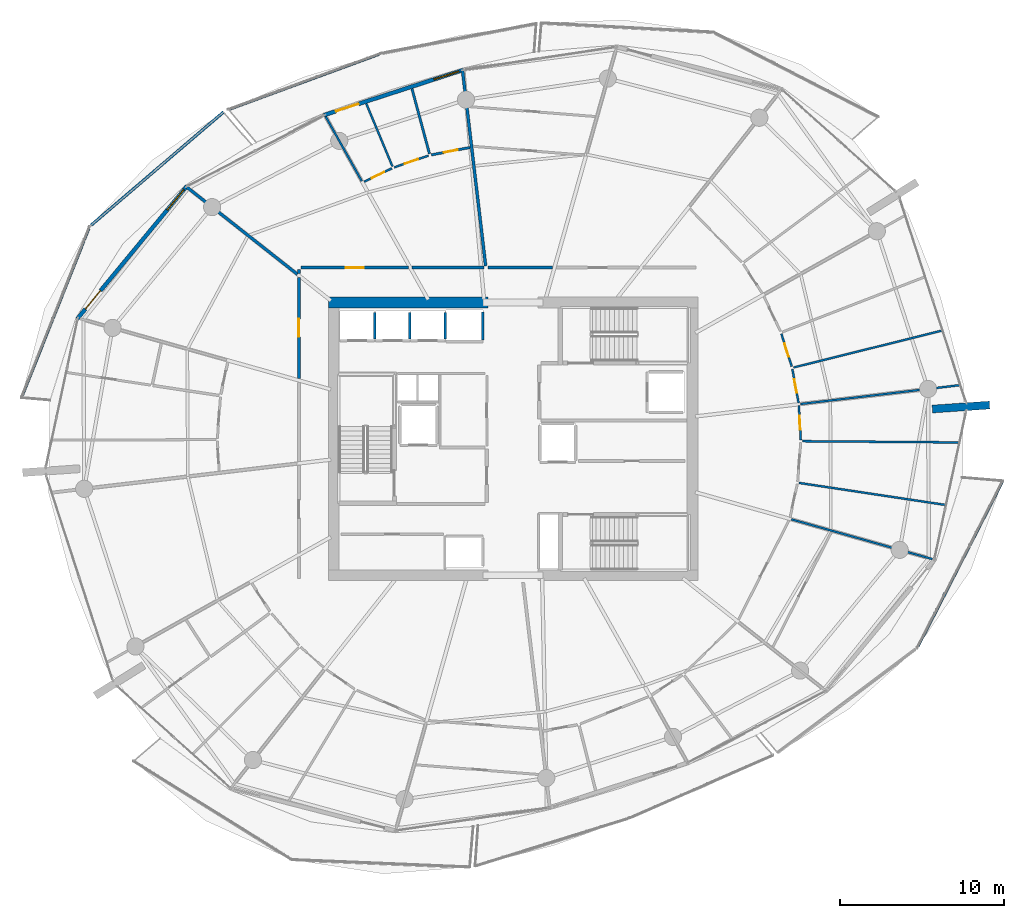
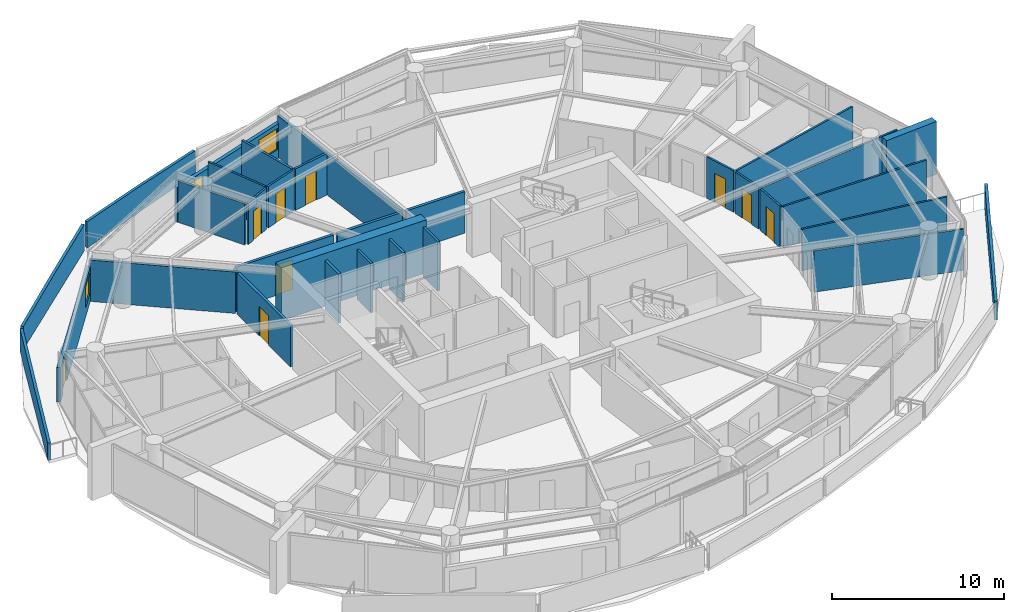
# One storey, part 14 of 20: 33 walls, 10 doors, 2 windows, 12 openings.
"""IFC4 building model written with IfcOpenShell, lengths in metres."""

from ifc_helpers import new_model, si_unit, direction, frame, frame_2d, origin, place, context, subcontext, project, spatial, polyline, rectangle, outline, extrude, material, layer, layer_set, type_object, element, fill, save


model = new_model("IFC4")

# Units and contexts
model_context = context("Model", 3, precision=1e-05, world=origin(), true_north=direction((0.0, 1.0)))
body_context = subcontext(model_context, "Body", "Model", "MODEL_VIEW")
ifc_project = project(units=[si_unit("LENGTHUNIT", "METRE"), si_unit("AREAUNIT", "SQUARE_METRE"), si_unit("VOLUMEUNIT", "CUBIC_METRE"), si_unit("PLANEANGLEUNIT", "RADIAN"), si_unit("MASSUNIT", "GRAM", prefix="KILO")], contexts=[model_context])

# Site, building, storey
site_placement = place(None, origin())
site = spatial("IfcSite", under=ifc_project, at=site_placement, CompositionType="ELEMENT")
building_placement = place(site_placement, origin())
building = spatial("IfcBuilding", under=site, at=building_placement, Name="Kazma Halo Residences", CompositionType="ELEMENT")
storey_placement = place(building_placement, frame((0.0, 0.0, 206.550048828125)))
storey = spatial("IfcBuildingStorey", under=building, at=storey_placement, Name="L52", CompositionType="ELEMENT", Elevation=206.550048828125)

# Walls
ifc_material_1 = material(Name="White Concrete C50/60 Balustrade", Category="concrete")
ifc_layer_1 = layer(ifc_material_1, 0.179931640625)
ifc_layer_set_1 = layer_set([ifc_layer_1], Name="White Concrete C50/60 Balustrade")
wall_type_1 = type_object("IfcWallType", Name="WL-BAL-WAVE-180", PredefinedType="PARAPET", material=ifc_layer_set_1)
wall_1_placement = place(storey_placement, frame((40.244384765625, 65.481689453125, 0.0), z_axis=(0.0, 0.0, 1.0), x_axis=(-0.938669265972, -0.344818806214, 0.0)))
element("IfcWall", 1, at=wall_1_placement, inside=storey, type_object=wall_type_1, Name="L52 white wave balustrade wall NNW.2", PredefinedType="PARAPET", context=body_context, shape_type="SweptSolid", body=[
    extrude(outline(polyline([(0.0, 0.0), (9.802734375, 0.0), (9.802490234375, 1.85986328125), (4.9013671875, 1.7978515625), (0.0, 1.6318359375), (0.0, 0.0)])), frame((0.0, 0.08984375, 0.0), z_axis=(0.0, -1.0, 0.0), x_axis=(1.0, 0.0, 0.0)), (0.0, 0.0, 1.0), 0.179931640625),
])
wall_2_placement = place(storey_placement, frame((30.751708984375, 61.947021484375, 0.0), z_axis=(0.0, 0.0, 1.0), x_axis=(-0.760227532438, -0.649656908624, 0.0)))
element("IfcWall", 2, at=wall_2_placement, inside=storey, type_object=wall_type_1, Name="L52 white wave balustrade wall NW.1", PredefinedType="PARAPET", context=body_context, shape_type="SweptSolid", body=[
    extrude(outline(polyline([(0.0, 0.0), (10.640380859375, 0.0), (10.640380859375, 1.6318359375), (5.3203125, 1.7978515625), (0.0, 1.85986328125), (0.0, 0.0)])), frame((0.0, 0.08984375, 0.0), z_axis=(0.0, -1.0, 0.0), x_axis=(1.0, 0.0, 0.0)), (0.0, 0.0, 1.0), 0.179931640625),
])
wall_3_placement = place(storey_placement, frame((22.52685546875, 54.844970703125, 0.0), z_axis=(0.0, 0.0, 1.0), x_axis=(-0.369781756991, -0.929118642691, 0.0)))
element("IfcWall", 3, at=wall_3_placement, inside=storey, type_object=wall_type_1, Name="L52 white wave balustrade wall NW.2", PredefinedType="PARAPET", context=body_context, shape_type="SweptSolid", body=[
    extrude(outline(polyline([(0.0, 0.0), (11.122802734375, 0.0), (11.123046875, 1.23291015625), (5.5615234375, 1.41796875), (0.0, 1.6318359375), (0.0, 0.0)])), frame((0.0, 0.08984375, 0.0), z_axis=(0.0, -1.0, 0.0), x_axis=(1.0, 0.0, 0.0)), (0.0, 0.0, 1.0), 0.179931640625),
])
wall_4_placement = place(storey_placement, frame((73.128662109375, 29.330810546875, 0.0), z_axis=(0.0, 0.0, 1.0), x_axis=(0.456201330326, 0.889876590437, 0.0)))
element("IfcWall", 4, at=wall_4_placement, inside=storey, type_object=wall_type_1, Name="L52 white wave balustrade wall SE.2", PredefinedType="PARAPET", context=body_context, shape_type="SweptSolid", body=[
    extrude(outline(polyline([(0.0, 0.0), (11.347412109375, 0.0), (11.347412109375, 1.7470703125), (5.673583984375, 1.56201171875), (0.0, 1.347900390625), (0.0, 0.0)])), frame((0.0, 0.08984375, 0.0), z_axis=(0.0, -1.0, 0.0), x_axis=(1.0, 0.0, 0.0)), (0.0, 0.0, 1.0), 0.179931640625),
])
ifc_material_2 = material(Name="Pale Concrete C60/75", Category="concrete")
ifc_layer_2 = layer(ifc_material_2, 0.47998046875)
ifc_layer_set_2 = layer_set([ifc_layer_2], Name="Pale Concrete C60/75")
wall_type_2 = type_object("IfcWallType", Name="WL-BLADE-480", PredefinedType="SOLIDWALL", material=ifc_layer_set_2)
wall_5_placement = place(storey_placement, frame((74.0126953125, 43.819091796875, 0.0), z_axis=(0.0, 0.0, 1.0), x_axis=(0.997568676264, 0.069690287244, 0.0)))
element("IfcWall", 5, at=wall_5_placement, inside=storey, type_object=wall_type_2, Name="L52 pale concrete structural blade fin wall BW-04", PredefinedType="SOLIDWALL", context=body_context, shape_type="SweptSolid", body=[
    extrude(rectangle(XDim=3.499755859375, YDim=0.47998046875, at=frame_2d((1.75, 0.0))), origin(), (0.0, 0.0, 1.0), 3.75),
])
ifc_material_3 = material(Name="Concrete C60/75", Category="concrete")
ifc_layer_3 = layer(ifc_material_3, 0.64990234375)
ifc_layer_set_3 = layer_set([ifc_layer_3], Name="Concrete C60/75")
wall_type_3 = type_object("IfcWallType", Name="WL-CORE-650", PredefinedType="SHEAR", material=ifc_layer_set_3)
wall_6_placement = place(storey_placement, frame((37.14990234375, 50.324951171875, 0.0), z_axis=(0.0, 0.0, 1.0), x_axis=(1.0, 0.0, 0.0)))
element("IfcWall", 6, at=wall_6_placement, inside=storey, type_object=wall_type_3, Name="L52 central core shear wall NW", PredefinedType="SHEAR", context=body_context, shape_type="SweptSolid", body=[
    extrude(rectangle(XDim=9.75, YDim=0.64990234375, at=frame_2d((4.875, 0.0))), origin(), (0.0, 0.0, 1.0), 3.75),
])
ifc_material_4 = material(Name="Acoustic Twin-Stud Gypsum")
ifc_layer_4 = layer(ifc_material_4, 0.179931640625)
ifc_layer_set_4 = layer_set([ifc_layer_4], Name="Acoustic Twin-Stud Gypsum")
wall_type_4 = type_object("IfcWallType", Name="WL-DEM-180", PredefinedType="PARTITIONING", material=ifc_layer_set_4)
wall_7_placement = place(storey_placement, frame((46.750244140625, 52.55908203125, 0.0), z_axis=(0.0, 0.0, 1.0), x_axis=(-0.117528079883, 0.993069559718, 0.0)))
element("IfcWall", 7, at=wall_7_placement, inside=storey, type_object=wall_type_4, Name="L52 apartment demising radial wall 03", PredefinedType="PARTITIONING", context=body_context, shape_type="SweptSolid", body=[
    extrude(rectangle(XDim=12.002685546875, YDim=0.179931640625, at=frame_2d((6.00146484375, 0.0))), origin(), (0.0, 0.0, 1.0), 2.93994140625),
])
wall_8_placement = place(storey_placement, frame((35.263671875, 52.04052734375, 0.0), z_axis=(0.0, 0.0, 1.0), x_axis=(-0.785322457947, 0.619086938195, 0.0)))
element("IfcWall", 8, at=wall_8_placement, inside=storey, type_object=wall_type_4, Name="L52 apartment demising radial wall 05", PredefinedType="PARTITIONING", context=body_context, shape_type="SweptSolid", body=[
    extrude(rectangle(XDim=8.609130859375, YDim=0.179931640625, at=frame_2d((4.3046875, 0.0))), origin(), (0.0, 0.0, 1.0), 2.93994140625),
])

# Wall, opening, door
wall_9_placement = place(storey_placement, frame((42.027587890625, 52.449951171875, 0.0), z_axis=(0.0, 0.0, 1.0), x_axis=(-1.0, 0.0, 0.0)))
wall_9 = element("IfcWall", 9, at=wall_9_placement, inside=storey, type_object=wall_type_4, Name="L52 Apartment 1 entrance corridor wall", PredefinedType="PARTITIONING", context=body_context, shape_type="SweptSolid", body=[
    extrude(rectangle(XDim=6.5576171875, YDim=0.179931640625, at=frame_2d((3.27880859375, 0.0))), origin(), (0.0, 0.0, 1.0), 2.93994140625),
])
opening_1_placement = place(wall_9_placement, frame((2.72900390625, 0.0, 0.0)))
opening_1 = element("IfcOpeningElement", 10, at=opening_1_placement, cuts=wall_9, Name="Opening DA-1100", PredefinedType="OPENING", context=body_context, shape_type="SweptSolid", body=[
    extrude(rectangle(XDim=1.10009765625, YDim=2.10009765625, at=frame_2d((0.550048828125, 1.050048828125))), frame((0.0, 0.099853515625, 0.0), z_axis=(0.0, -1.0, 0.0), x_axis=(1.0, 0.0, 0.0)), (0.0, 0.0, 1.0), 0.199951171875),
])
ifc_material_5 = material(Name="Acoustic Walnut Fire Leaf")
door_type_1 = type_object("IfcDoorType", Name="DR-FD60-1100", OperationType="NOTDEFINED", PredefinedType="DOOR", material=ifc_material_5)
door_1_placement = place(opening_1_placement, origin())
door_1 = element("IfcDoor", 11, at=door_1_placement, inside=storey, type_object=door_type_1, Name="L52 Apartment 1 entrance fire door", OperationType="SINGLE_SWING_RIGHT", OverallHeight=2.10009765625, OverallWidth=1.10009765625, PredefinedType="DOOR", context=body_context, shape_type="SweptSolid", body=[
    extrude(rectangle(XDim=1.10009765625, YDim=2.10009765625, at=frame_2d((0.550048828125, 1.050048828125))), frame((0.0, 0.02490234375, 0.0), z_axis=(0.0, -1.0, 0.0), x_axis=(1.0, 0.0, 0.0)), (0.0, 0.0, 1.0), 0.050048828125),
])
fill(opening_1, door_1)

# Walls
wall_10_placement = place(storey_placement, frame((35.35009765625, 52.330078125, 0.0), z_axis=(0.0, 0.0, 1.0), x_axis=(0.0, -1.0, 0.0)))
element("IfcWall", 12, at=wall_10_placement, inside=storey, type_object=wall_type_4, Name="L52 Apartment 1 entrance corridor wall", PredefinedType="PARTITIONING", context=body_context, shape_type="SweptSolid", body=[
    extrude(rectangle(XDim=0.237548828125, YDim=0.179931640625, at=frame_2d((0.11865234375, 0.0))), origin(), (0.0, 0.0, 1.0), 2.93994140625),
])
wall_11_placement = place(storey_placement, frame((46.643310546875, 52.449951171875, 0.0), z_axis=(0.0, 0.0, 1.0), x_axis=(-1.0, 0.0, 0.0)))
element("IfcWall", 13, at=wall_11_placement, inside=storey, type_object=wall_type_4, Name="L52 Apartment 1 inner wall 3", PredefinedType="PARTITIONING", context=body_context, shape_type="SweptSolid", body=[
    extrude(rectangle(XDim=4.375732421875, YDim=0.179931640625, at=frame_2d((2.18798828125, 0.0))), origin(), (0.0, 0.0, 1.0), 2.93994140625),
])

# Wall, opening, door
wall_12_placement = place(storey_placement, frame((35.35009765625, 51.8525390625, 0.0), z_axis=(0.0, 0.0, 1.0), x_axis=(0.0, -1.0, 0.0)))
wall_12 = element("IfcWall", 14, at=wall_12_placement, inside=storey, type_object=wall_type_4, Name="L52 Apartment 2 entrance corridor wall", PredefinedType="PARTITIONING", context=body_context, shape_type="SweptSolid", body=[
    extrude(rectangle(XDim=6.164794921875, YDim=0.179931640625, at=frame_2d((3.08251953125, 0.0))), origin(), (0.0, 0.0, 1.0), 2.93994140625),
])
opening_2_placement = place(wall_12_placement, frame((2.532470703125, 0.0, 0.0)))
opening_2 = element("IfcOpeningElement", 15, at=opening_2_placement, cuts=wall_12, Name="Opening DA-1100", PredefinedType="OPENING", context=body_context, shape_type="SweptSolid", body=[
    extrude(rectangle(XDim=1.10009765625, YDim=2.10009765625, at=frame_2d((0.550048828125, 1.050048828125))), frame((0.0, 0.099853515625, 0.0), z_axis=(0.0, -1.0, 0.0), x_axis=(1.0, 0.0, 0.0)), (0.0, 0.0, 1.0), 0.199951171875),
])
door_2_placement = place(opening_2_placement, origin())
door_2 = element("IfcDoor", 16, at=door_2_placement, inside=storey, type_object=door_type_1, Name="L52 Apartment 2 entrance fire door", OperationType="SINGLE_SWING_LEFT", OverallHeight=2.10009765625, OverallWidth=1.10009765625, PredefinedType="DOOR", context=body_context, shape_type="SweptSolid", body=[
    extrude(rectangle(XDim=1.10009765625, YDim=2.10009765625, at=frame_2d((0.550048828125, 1.050048828125))), frame((0.0, 0.02490234375, 0.0), z_axis=(0.0, -1.0, 0.0), x_axis=(1.0, 0.0, 0.0)), (0.0, 0.0, 1.0), 0.050048828125),
])
fill(opening_2, door_2)

# Wall
wall_13_placement = place(storey_placement, frame((50.8271484375, 52.449951171875, 0.0), z_axis=(0.0, 0.0, 1.0), x_axis=(-1.0, 0.0, 0.0)))
element("IfcWall", 17, at=wall_13_placement, inside=storey, type_object=wall_type_4, Name="L52 Apartment 4 inner wall 2", PredefinedType="PARTITIONING", context=body_context, shape_type="SweptSolid", body=[
    extrude(rectangle(XDim=3.94384765625, YDim=0.179931640625, at=frame_2d((1.971923828125, 0.0))), origin(), (0.0, 0.0, 1.0), 2.93994140625),
])

# Wall, openings, door, window
ifc_material_6 = material(Name="Insulated Pale-Metal Composite Wall")
ifc_layer_5 = layer(ifc_material_6, 0.239990234375)
ifc_layer_set_5 = layer_set([ifc_layer_5], Name="Insulated Pale-Metal Composite Wall")
wall_type_5 = type_object("IfcWallType", Name="WL-EXT-HOST-240", PredefinedType="SOLIDWALL", material=ifc_layer_set_5)
wall_14_placement = place(storey_placement, frame((45.38427734375, 64.518798828125, 0.0), z_axis=(0.0, 0.0, 1.0), x_axis=(-0.951058543936, -0.309010753869, 0.0)))
wall_14 = element("IfcWall", 18, at=wall_14_placement, inside=storey, type_object=wall_type_5, Name="L52 exterior terrace-access wall B04", PredefinedType="SOLIDWALL", context=body_context, shape_type="SweptSolid", body=[
    extrude(rectangle(XDim=8.942138671875, YDim=0.239990234375, at=frame_2d((4.47119140625, 0.0))), origin(), (0.0, 0.0, 1.0), 2.449951171875),
])
opening_3_placement = place(wall_14_placement, frame((6.721923828125, 0.0, 0.0)))
opening_3 = element("IfcOpeningElement", 19, at=opening_3_placement, cuts=wall_14, Name="Opening DTR-1600", PredefinedType="OPENING", context=body_context, shape_type="SweptSolid", body=[
    extrude(rectangle(XDim=1.449951171875, YDim=2.14990234375, at=frame_2d((0.72509765625, 1.074951171875))), frame((0.0, 0.1298828125, 0.0), z_axis=(0.0, -1.0, 0.0), x_axis=(1.0, 0.0, 0.0)), (0.0, 0.0, 1.0), 0.260009765625),
])
opening_4_placement = place(wall_14_placement, frame((0.280029296875, 0.0, 0.64990234375)))
opening_4 = element("IfcOpeningElement", 20, at=opening_4_placement, cuts=wall_14, Name="Opening W-1800", PredefinedType="OPENING", context=body_context, shape_type="SweptSolid", body=[
    extrude(rectangle(XDim=1.60009765625, YDim=1.5, at=frame_2d((0.800048828125, 0.75))), frame((0.0, 0.1298828125, 0.0), z_axis=(0.0, -1.0, 0.0), x_axis=(1.0, 0.0, 0.0)), (0.0, 0.0, 1.0), 0.260009765625),
])
ifc_material_7 = material(Name="Aluminium AW-6063 T6 Double-Glazed Terrace Door", Category="aluminium")
door_type_2 = type_object("IfcDoorType", Name="DR-EXT-TERR-1600", OperationType="NOTDEFINED", PredefinedType="DOOR", material=ifc_material_7)
door_3_placement = place(opening_3_placement, origin())
door_3 = element("IfcDoor", 21, at=door_3_placement, inside=storey, type_object=door_type_2, Name="L52 B04 balcony terrace door", OperationType="DOUBLE_DOOR_SLIDING", OverallHeight=2.14990234375, OverallWidth=1.449951171875, PredefinedType="DOOR", context=body_context, shape_type="SweptSolid", body=[
    extrude(rectangle(XDim=1.449951171875, YDim=2.14990234375, at=frame_2d((0.72509765625, 1.074951171875))), frame((0.0, 0.02490234375, 0.0), z_axis=(0.0, -1.0, 0.0), x_axis=(1.0, 0.0, 0.0)), (0.0, 0.0, 1.0), 0.050048828125),
])
fill(opening_3, door_3)
ifc_material_8 = material(Name="Clear Triple-Silver Low-E Glass in Aluminium AW-6063 T6 Frame", Category="aluminium")
window_type = type_object("IfcWindowType", Name="WIN-RES-1800", PartitioningType="DOUBLE_PANEL_VERTICAL", PredefinedType="WINDOW", material=ifc_material_8)
window_1_placement = place(opening_4_placement, origin())
window_1 = element("IfcWindow", 22, at=window_1_placement, inside=storey, type_object=window_type, Name="L52 B04 apartment window", OverallHeight=1.5, OverallWidth=1.60009765625, PartitioningType="SINGLE_PANEL", PredefinedType="WINDOW", context=body_context, shape_type="SweptSolid", body=[
    extrude(rectangle(XDim=1.60009765625, YDim=1.5, at=frame_2d((0.800048828125, 0.75))), frame((0.0, 0.030029296875, 0.0), z_axis=(0.0, -1.0, 0.0), x_axis=(1.0, 0.0, 0.0)), (0.0, 0.0, 1.0), 0.06005859375),
])
fill(opening_4, window_1)

wall_15_placement = place(storey_placement, frame((28.514892578125, 57.42431640625, 0.0), z_axis=(0.0, 0.0, 1.0), x_axis=(-0.636759394418, -0.771062561418, 0.0)))
wall_15 = element("IfcWall", 23, at=wall_15_placement, inside=storey, type_object=wall_type_5, Name="L52 exterior terrace-access wall B06", PredefinedType="SOLIDWALL", context=body_context, shape_type="SweptSolid", body=[
    extrude(rectangle(XDim=10.494384765625, YDim=0.239990234375, at=frame_2d((5.2470703125, 0.0))), origin(), (0.0, 0.0, 1.0), 2.449951171875),
])
opening_5_placement = place(wall_15_placement, frame((8.2744140625, 0.0, 0.0)))
opening_5 = element("IfcOpeningElement", 24, at=opening_5_placement, cuts=wall_15, Name="Opening DTR-1600", PredefinedType="OPENING", context=body_context, shape_type="SweptSolid", body=[
    extrude(rectangle(XDim=1.449951171875, YDim=2.14990234375, at=frame_2d((0.72509765625, 1.074951171875))), frame((0.0, 0.1298828125, 0.0), z_axis=(0.0, -1.0, 0.0), x_axis=(1.0, 0.0, 0.0)), (0.0, 0.0, 1.0), 0.260009765625),
])
opening_6_placement = place(wall_15_placement, frame((0.280029296875, 0.0, 0.64990234375)))
opening_6 = element("IfcOpeningElement", 25, at=opening_6_placement, cuts=wall_15, Name="Opening W-1800", PredefinedType="OPENING", context=body_context, shape_type="SweptSolid", body=[
    extrude(rectangle(XDim=1.60009765625, YDim=1.5, at=frame_2d((0.800048828125, 0.75))), frame((0.0, 0.1298828125, 0.0), z_axis=(0.0, -1.0, 0.0), x_axis=(1.0, 0.0, 0.0)), (0.0, 0.0, 1.0), 0.260009765625),
])
door_4_placement = place(opening_5_placement, origin())
door_4 = element("IfcDoor", 26, at=door_4_placement, inside=storey, type_object=door_type_2, Name="L52 B06 balcony terrace door", OperationType="DOUBLE_DOOR_SLIDING", OverallHeight=2.14990234375, OverallWidth=1.449951171875, PredefinedType="DOOR", context=body_context, shape_type="SweptSolid", body=[
    extrude(rectangle(XDim=1.449951171875, YDim=2.14990234375, at=frame_2d((0.72509765625, 1.074951171875))), frame((0.0, 0.02490234375, 0.0), z_axis=(0.0, -1.0, 0.0), x_axis=(1.0, 0.0, 0.0)), (0.0, 0.0, 1.0), 0.050048828125),
])
fill(opening_5, door_4)
window_2_placement = place(opening_6_placement, origin())
window_2 = element("IfcWindow", 27, at=window_2_placement, inside=storey, type_object=window_type, Name="L52 B06 apartment window", OverallHeight=1.5, OverallWidth=1.60009765625, PartitioningType="SINGLE_PANEL", PredefinedType="WINDOW", context=body_context, shape_type="SweptSolid", body=[
    extrude(rectangle(XDim=1.60009765625, YDim=1.5, at=frame_2d((0.800048828125, 0.75))), frame((0.0, 0.030029296875, 0.0), z_axis=(0.0, -1.0, 0.0), x_axis=(1.0, 0.0, 0.0)), (0.0, 0.0, 1.0), 0.06005859375),
])
fill(opening_6, window_2)

# Walls
ifc_material_9 = material(Name="Fire-Rated Blockwork Masonry", Category="masonry")
ifc_layer_6 = layer(ifc_material_9, 0.199951171875)
ifc_layer_set_6 = layer_set([ifc_layer_6], Name="Fire-Rated Blockwork Masonry")
wall_type_6 = type_object("IfcWallType", Name="WL-FLB-200", PredefinedType="PARTITIONING", material=ifc_layer_set_6)
for number, where, z_axis, x_axis, name in (
    (28, (39.97509765625, 48.094970703125, 0.0), (0.0, 0.0, 1.0), (0.0, 1.0, 0.0), "L52 lift shaft PM-01 side wall E"),
    (29, (42.125, 48.094970703125, 0.0), (0.0, 0.0, 1.0), (0.0, 1.0, 0.0), "L52 lift shaft PM-02 side wall E"),
    (30, (44.27490234375, 48.094970703125, 0.0), (0.0, 0.0, 1.0), (0.0, 1.0, 0.0), "L52 lift shaft PM-03 side wall E"),
):
    element("IfcWall", number, at=place(storey_placement, frame(where, z_axis=z_axis, x_axis=x_axis)), inside=storey, type_object=wall_type_6, Name=name, PredefinedType="PARTITIONING", context=body_context, shape_type="SweptSolid", body=[
        extrude(rectangle(XDim=1.610107421875, YDim=0.159912109375, at=frame_2d((0.80517578125, 0.0))), origin(), (0.0, 0.0, 1.0), 3.5),
    ])
wall_16_placement = place(storey_placement, frame((46.580078125, 48.044921875, 0.0), z_axis=(0.0, 0.0, 1.0), x_axis=(0.0, 1.0, 0.0)))
element("IfcWall", 31, at=wall_16_placement, inside=storey, type_object=wall_type_6, Name="L52 lift shaft PX-01 side wall E", PredefinedType="PARTITIONING", context=body_context, shape_type="SweptSolid", body=[
    extrude(rectangle(XDim=1.7099609375, YDim=0.159912109375, at=frame_2d((0.85498046875, 0.0))), origin(), (0.0, 0.0, 1.0), 3.5),
])
ifc_material_10 = material(Name="Gypsum Plasterboard Partition")
ifc_layer_7 = layer(ifc_material_10, 0.125)
ifc_layer_set_7 = layer_set([ifc_layer_7], Name="Gypsum Plasterboard Partition")
wall_type_7 = type_object("IfcWallType", Name="WL-PART-125", PredefinedType="PARTITIONING", material=ifc_layer_set_7)
wall_17_placement = place(storey_placement, frame((39.191162109375, 57.729248046875, 0.0), z_axis=(0.0, 0.0, 1.0), x_axis=(-0.48860171964, 0.872506939551, 0.0)))
element("IfcWall", 32, at=wall_17_placement, inside=storey, type_object=wall_type_7, Name="L52 Apartment 1 living radial partition 3", PredefinedType="PARTITIONING", context=body_context, shape_type="SweptSolid", body=[
    extrude(rectangle(XDim=4.507568359375, YDim=0.125, at=frame_2d((2.25390625, 0.0))), origin(), (0.0, 0.0, 1.0), 2.93994140625),
])
wall_18_placement = place(storey_placement, frame((41.061767578125, 58.628662109375, 0.0), z_axis=(0.0, 0.0, 1.0), x_axis=(-0.385086773066, 0.922880369934, 0.0)))
element("IfcWall", 33, at=wall_18_placement, inside=storey, type_object=wall_type_7, Name="L52 Apartment 1 suite divider 3", PredefinedType="PARTITIONING", context=body_context, shape_type="SweptSolid", body=[
    extrude(rectangle(XDim=4.1552734375, YDim=0.125, at=frame_2d((2.07763671875, 0.0))), origin(), (0.0, 0.0, 1.0), 2.93994140625),
])

# Wall, opening, door
wall_19_placement = place(storey_placement, frame((43.2587890625, 59.28369140625, 0.0), z_axis=(0.0, 0.0, 1.0), x_axis=(-0.946366372143, -0.323095480743, 0.0)))
wall_19 = element("IfcWall", 34, at=wall_19_placement, inside=storey, type_object=wall_type_7, Name="L52 Apartment 1 Gourmet Kitchen hall wall", PredefinedType="PARTITIONING", context=body_context, shape_type="SweptSolid", body=[
    extrude(rectangle(XDim=2.204833984375, YDim=0.125, at=frame_2d((1.1025390625, 0.0))), origin(), (0.0, 0.0, 1.0), 2.93994140625),
])
opening_7_placement = place(wall_19_placement, frame((0.677490234375, 0.0, 0.0)))
opening_7 = element("IfcOpeningElement", 35, at=opening_7_placement, cuts=wall_19, Name="Opening DB-900", PredefinedType="OPENING", context=body_context, shape_type="SweptSolid", body=[
    extrude(rectangle(XDim=0.85009765625, YDim=2.06005859375, at=frame_2d((0.425048828125, 1.030029296875))), frame((0.0, 0.072509765625, 0.0), z_axis=(0.0, -1.0, 0.0), x_axis=(1.0, 0.0, 0.0)), (0.0, 0.0, 1.0), 0.14501953125),
])
ifc_material_11 = material(Name="Moisture-Sealed Timber Leaf", Category="wood")
door_type_3 = type_object("IfcDoorType", Name="DR-BTH-900", OperationType="NOTDEFINED", PredefinedType="DOOR", material=ifc_material_11)
door_5_placement = place(opening_7_placement, origin())
door_5 = element("IfcDoor", 36, at=door_5_placement, inside=storey, type_object=door_type_3, Name="L52 Apartment 1 Gourmet Kitchen door", OperationType="SINGLE_SWING_RIGHT", OverallHeight=2.06005859375, OverallWidth=0.85009765625, PredefinedType="DOOR", context=body_context, shape_type="SweptSolid", body=[
    extrude(rectangle(XDim=0.85009765625, YDim=2.06005859375, at=frame_2d((0.425048828125, 1.030029296875))), frame((0.0, 0.02490234375, 0.0), z_axis=(0.0, -1.0, 0.0), x_axis=(1.0, 0.0, 0.0)), (0.0, 0.0, 1.0), 0.050048828125),
])
fill(opening_7, door_5)

wall_20_placement = place(storey_placement, frame((41.0244140625, 58.510498046875, 0.0), z_axis=(0.0, 0.0, 1.0), x_axis=(-0.899168967124, -0.437601609414, 0.0)))
wall_20 = element("IfcWall", 37, at=wall_20_placement, inside=storey, type_object=wall_type_7, Name="L52 Apartment 1 Primary Bedroom hall wall", PredefinedType="PARTITIONING", context=body_context, shape_type="SweptSolid", body=[
    extrude(rectangle(XDim=1.884521484375, YDim=0.125, at=frame_2d((0.9423828125, 0.0))), origin(), (0.0, 0.0, 1.0), 2.93994140625),
])
opening_8_placement = place(wall_20_placement, frame((0.517333984375, 0.0, 0.0)))
opening_8 = element("IfcOpeningElement", 38, at=opening_8_placement, cuts=wall_20, Name="Opening DB-900", PredefinedType="OPENING", context=body_context, shape_type="SweptSolid", body=[
    extrude(rectangle(XDim=0.85009765625, YDim=2.06005859375, at=frame_2d((0.425048828125, 1.030029296875))), frame((0.0, 0.072509765625, 0.0), z_axis=(0.0, -1.0, 0.0), x_axis=(1.0, 0.0, 0.0)), (0.0, 0.0, 1.0), 0.14501953125),
])
door_6_placement = place(opening_8_placement, origin())
door_6 = element("IfcDoor", 39, at=door_6_placement, inside=storey, type_object=door_type_3, Name="L52 Apartment 1 Primary Bedroom door", OperationType="SINGLE_SWING_LEFT", OverallHeight=2.06005859375, OverallWidth=0.85009765625, PredefinedType="DOOR", context=body_context, shape_type="SweptSolid", body=[
    extrude(rectangle(XDim=0.85009765625, YDim=2.06005859375, at=frame_2d((0.425048828125, 1.030029296875))), frame((0.0, 0.02490234375, 0.0), z_axis=(0.0, -1.0, 0.0), x_axis=(1.0, 0.0, 0.0)), (0.0, 0.0, 1.0), 0.050048828125),
])
fill(opening_8, door_6)

# Walls
wall_21_placement = place(storey_placement, frame((65.407958984375, 37.090576171875, 0.0), z_axis=(0.0, 0.0, 1.0), x_axis=(0.962449675986, -0.271460165022, 0.0)))
element("IfcWall", 40, at=wall_21_placement, inside=storey, type_object=wall_type_7, Name="L52 Apartment 4 radial partition 14", PredefinedType="PARTITIONING", context=body_context, shape_type="SweptSolid", body=[
    extrude(rectangle(XDim=8.943359375, YDim=0.125, at=frame_2d((4.4716796875, 0.0))), origin(), (0.0, 0.0, 1.0), 2.93994140625),
])
wall_22_placement = place(storey_placement, frame((65.876220703125, 39.3125, 0.0), z_axis=(0.0, 0.0, 1.0), x_axis=(0.988883657875, -0.148691328556, 0.0)))
element("IfcWall", 41, at=wall_22_placement, inside=storey, type_object=wall_type_7, Name="L52 Apartment 4 bay wall 1 14", PredefinedType="PARTITIONING", context=body_context, shape_type="SweptSolid", body=[
    extrude(rectangle(XDim=9.05029296875, YDim=0.125, at=frame_2d((4.525146484375, 0.0))), origin(), (0.0, 0.0, 1.0), 2.93994140625),
])
wall_23_placement = place(storey_placement, frame((66.076416015625, 41.85791015625, 0.0), z_axis=(0.0, 0.0, 1.0), x_axis=(0.999969321656, -0.007832990961, 0.0)))
element("IfcWall", 42, at=wall_23_placement, inside=storey, type_object=wall_type_7, Name="L52 Apartment 4 bay wall 2 14", PredefinedType="PARTITIONING", context=body_context, shape_type="SweptSolid", body=[
    extrude(rectangle(XDim=9.568603515625, YDim=0.125, at=frame_2d((4.7841796875, 0.0))), origin(), (0.0, 0.0, 1.0), 2.93994140625),
])

# Wall, opening, door
wall_24_placement = place(storey_placement, frame((65.98193359375, 41.938720703125, 0.0), z_axis=(0.0, 0.0, 1.0), x_axis=(-0.054909461876, 0.998491337467, 0.0)))
wall_24 = element("IfcWall", 43, at=wall_24_placement, inside=storey, type_object=wall_type_7, Name="L52 Apartment 4 Corner Bedroom hall wall", PredefinedType="PARTITIONING", context=body_context, shape_type="SweptSolid", body=[
    extrude(rectangle(XDim=2.0986328125, YDim=0.125, at=frame_2d((1.04931640625, 0.0))), origin(), (0.0, 0.0, 1.0), 2.93994140625),
])
opening_9_placement = place(wall_24_placement, frame((0.62451171875, 0.0, 0.0)))
opening_9 = element("IfcOpeningElement", 44, at=opening_9_placement, cuts=wall_24, Name="Opening DB-900", PredefinedType="OPENING", context=body_context, shape_type="SweptSolid", body=[
    extrude(rectangle(XDim=0.85009765625, YDim=2.06005859375, at=frame_2d((0.425048828125, 1.030029296875))), frame((0.0, 0.072509765625, 0.0), z_axis=(0.0, -1.0, 0.0), x_axis=(1.0, 0.0, 0.0)), (0.0, 0.0, 1.0), 0.14501953125),
])
door_7_placement = place(opening_9_placement, origin())
door_7 = element("IfcDoor", 45, at=door_7_placement, inside=storey, type_object=door_type_3, Name="L52 Apartment 4 Corner Bedroom door", OperationType="SINGLE_SWING_RIGHT", OverallHeight=2.06005859375, OverallWidth=0.85009765625, PredefinedType="DOOR", context=body_context, shape_type="SweptSolid", body=[
    extrude(rectangle(XDim=0.85009765625, YDim=2.06005859375, at=frame_2d((0.425048828125, 1.030029296875))), frame((0.0, 0.02490234375, 0.0), z_axis=(0.0, -1.0, 0.0), x_axis=(1.0, 0.0, 0.0)), (0.0, 0.0, 1.0), 0.050048828125),
])
fill(opening_9, door_7)

# Walls
wall_25_placement = place(storey_placement, frame((65.961669921875, 44.1259765625, 0.0), z_axis=(0.0, 0.0, 1.0), x_axis=(0.993068465016, 0.117537329351, 0.0)))
element("IfcWall", 46, at=wall_25_placement, inside=storey, type_object=wall_type_7, Name="L52 Apartment 4 radial partition 15", PredefinedType="PARTITIONING", context=body_context, shape_type="SweptSolid", body=[
    extrude(rectangle(XDim=9.80810546875, YDim=0.125, at=frame_2d((4.904052734375, 0.0))), origin(), (0.0, 0.0, 1.0), 2.93994140625),
])
wall_26_placement = place(storey_placement, frame((65.543701171875, 46.35791015625, 0.0), z_axis=(0.0, 0.0, 1.0), x_axis=(0.97050693763, 0.241073192229, 0.0)))
element("IfcWall", 47, at=wall_26_placement, inside=storey, type_object=wall_type_7, Name="L52 Apartment 4 bay wall 1 15", PredefinedType="PARTITIONING", context=body_context, shape_type="SweptSolid", body=[
    extrude(rectangle(XDim=9.3505859375, YDim=0.125, at=frame_2d((4.67529296875, 0.0))), origin(), (0.0, 0.0, 1.0), 2.93994140625),
])

# Wall, opening, door
wall_27_placement = place(storey_placement, frame((65.847900390625, 44.19287109375, 0.0), z_axis=(0.0, 0.0, 1.0), x_axis=(-0.179601937348, 0.983739367973, 0.0)))
wall_27 = element("IfcWall", 48, at=wall_27_placement, inside=storey, type_object=wall_type_7, Name="L52 Apartment 4 Gulf Bedroom hall wall", PredefinedType="PARTITIONING", context=body_context, shape_type="SweptSolid", body=[
    extrude(rectangle(XDim=2.098876953125, YDim=0.125, at=frame_2d((1.04931640625, 0.0))), origin(), (0.0, 0.0, 1.0), 2.93994140625),
])
opening_10_placement = place(wall_27_placement, frame((0.62451171875, 0.0, 0.0)))
opening_10 = element("IfcOpeningElement", 49, at=opening_10_placement, cuts=wall_27, Name="Opening DB-900", PredefinedType="OPENING", context=body_context, shape_type="SweptSolid", body=[
    extrude(rectangle(XDim=0.85009765625, YDim=2.06005859375, at=frame_2d((0.425048828125, 1.030029296875))), frame((0.0, 0.072509765625, 0.0), z_axis=(0.0, -1.0, 0.0), x_axis=(1.0, 0.0, 0.0)), (0.0, 0.0, 1.0), 0.14501953125),
])
door_8_placement = place(opening_10_placement, origin())
door_8 = element("IfcDoor", 50, at=door_8_placement, inside=storey, type_object=door_type_3, Name="L52 Apartment 4 Gulf Bedroom door", OperationType="SINGLE_SWING_LEFT", OverallHeight=2.06005859375, OverallWidth=0.85009765625, PredefinedType="DOOR", context=body_context, shape_type="SweptSolid", body=[
    extrude(rectangle(XDim=0.85009765625, YDim=2.06005859375, at=frame_2d((0.425048828125, 1.030029296875))), frame((0.0, 0.02490234375, 0.0), z_axis=(0.0, -1.0, 0.0), x_axis=(1.0, 0.0, 0.0)), (0.0, 0.0, 1.0), 0.050048828125),
])
fill(opening_10, door_8)

wall_28_placement = place(storey_placement, frame((65.432373046875, 46.41259765625, 0.0), z_axis=(0.0, 0.0, 1.0), x_axis=(-0.301532202781, 0.953455993052, 0.0)))
wall_28 = element("IfcWall", 51, at=wall_28_placement, inside=storey, type_object=wall_type_7, Name="L52 Apartment 4 Primary Study hall wall", PredefinedType="PARTITIONING", context=body_context, shape_type="SweptSolid", body=[
    extrude(rectangle(XDim=2.0986328125, YDim=0.125, at=frame_2d((1.04931640625, 0.0))), origin(), (0.0, 0.0, 1.0), 2.93994140625),
])
opening_11_placement = place(wall_28_placement, frame((0.62451171875, 0.0, 0.0)))
opening_11 = element("IfcOpeningElement", 52, at=opening_11_placement, cuts=wall_28, Name="Opening DB-900", PredefinedType="OPENING", context=body_context, shape_type="SweptSolid", body=[
    extrude(rectangle(XDim=0.85009765625, YDim=2.06005859375, at=frame_2d((0.425048828125, 1.030029296875))), frame((0.0, 0.072509765625, 0.0), z_axis=(0.0, -1.0, 0.0), x_axis=(1.0, 0.0, 0.0)), (0.0, 0.0, 1.0), 0.14501953125),
])
door_9_placement = place(opening_11_placement, origin())
door_9 = element("IfcDoor", 53, at=door_9_placement, inside=storey, type_object=door_type_3, Name="L52 Apartment 4 Primary Study door", OperationType="SINGLE_SWING_RIGHT", OverallHeight=2.06005859375, OverallWidth=0.85009765625, PredefinedType="DOOR", context=body_context, shape_type="SweptSolid", body=[
    extrude(rectangle(XDim=0.85009765625, YDim=2.06005859375, at=frame_2d((0.425048828125, 1.030029296875))), frame((0.0, 0.02490234375, 0.0), z_axis=(0.0, -1.0, 0.0), x_axis=(1.0, 0.0, 0.0)), (0.0, 0.0, 1.0), 0.050048828125),
])
fill(opening_11, door_9)

ifc_material_12 = material(Name="Moisture-Resistant Gypsum")
ifc_layer_8 = layer(ifc_material_12, 0.14990234375)
ifc_layer_set_8 = layer_set([ifc_layer_8], Name="Moisture-Resistant Gypsum")
wall_type_8 = type_object("IfcWallType", Name="WL-WET-150", PredefinedType="PARTITIONING", material=ifc_layer_set_8)
wall_29_placement = place(storey_placement, frame((45.794677734375, 59.784912109375, 0.0), z_axis=(0.0, 0.0, 1.0), x_axis=(-0.981945593386, -0.189163557882, 0.0)))
wall_29 = element("IfcWall", 54, at=wall_29_placement, inside=storey, type_object=wall_type_8, Name="L52 Apartment 1 Guest Bathroom hall wall", PredefinedType="PARTITIONING", context=body_context, shape_type="SweptSolid", body=[
    extrude(rectangle(XDim=2.40576171875, YDim=0.14990234375, at=frame_2d((1.202880859375, 0.0))), origin(), (0.0, 0.0, 1.0), 2.93994140625),
])
opening_12_placement = place(wall_29_placement, frame((0.77783203125, 0.0, 0.0)))
opening_12 = element("IfcOpeningElement", 55, at=opening_12_placement, cuts=wall_29, Name="Opening DB-900", PredefinedType="OPENING", context=body_context, shape_type="SweptSolid", body=[
    extrude(rectangle(XDim=0.85009765625, YDim=2.06005859375, at=frame_2d((0.425048828125, 1.030029296875))), frame((0.0, 0.0849609375, 0.0), z_axis=(0.0, -1.0, 0.0), x_axis=(1.0, 0.0, 0.0)), (0.0, 0.0, 1.0), 0.169921875),
])
door_10_placement = place(opening_12_placement, origin())
door_10 = element("IfcDoor", 56, at=door_10_placement, inside=storey, type_object=door_type_3, Name="L52 Apartment 1 Guest Bathroom door", OperationType="SINGLE_SWING_RIGHT", OverallHeight=2.06005859375, OverallWidth=0.85009765625, PredefinedType="DOOR", context=body_context, shape_type="SweptSolid", body=[
    extrude(rectangle(XDim=0.85009765625, YDim=2.06005859375, at=frame_2d((0.425048828125, 1.030029296875))), frame((0.0, 0.02490234375, 0.0), z_axis=(0.0, -1.0, 0.0), x_axis=(1.0, 0.0, 0.0)), (0.0, 0.0, 1.0), 0.050048828125),
])
fill(opening_12, door_10)

# Wall
wall_30_placement = place(storey_placement, frame((43.320556640625, 59.39990234375, 0.0), z_axis=(0.0, 0.0, 1.0), x_axis=(-0.259683834326, 0.9656936917, 0.0)))
element("IfcWall", 57, at=wall_30_placement, inside=storey, type_object=wall_type_8, Name="L52 Apartment 1 Guest Bathroom side wall", PredefinedType="PARTITIONING", context=body_context, shape_type="SweptSolid", body=[
    extrude(rectangle(XDim=4.111328125, YDim=0.14990234375, at=frame_2d((2.0556640625, 0.0))), origin(), (0.0, 0.0, 1.0), 2.93994140625),
])

save(model, "model.ifc")
